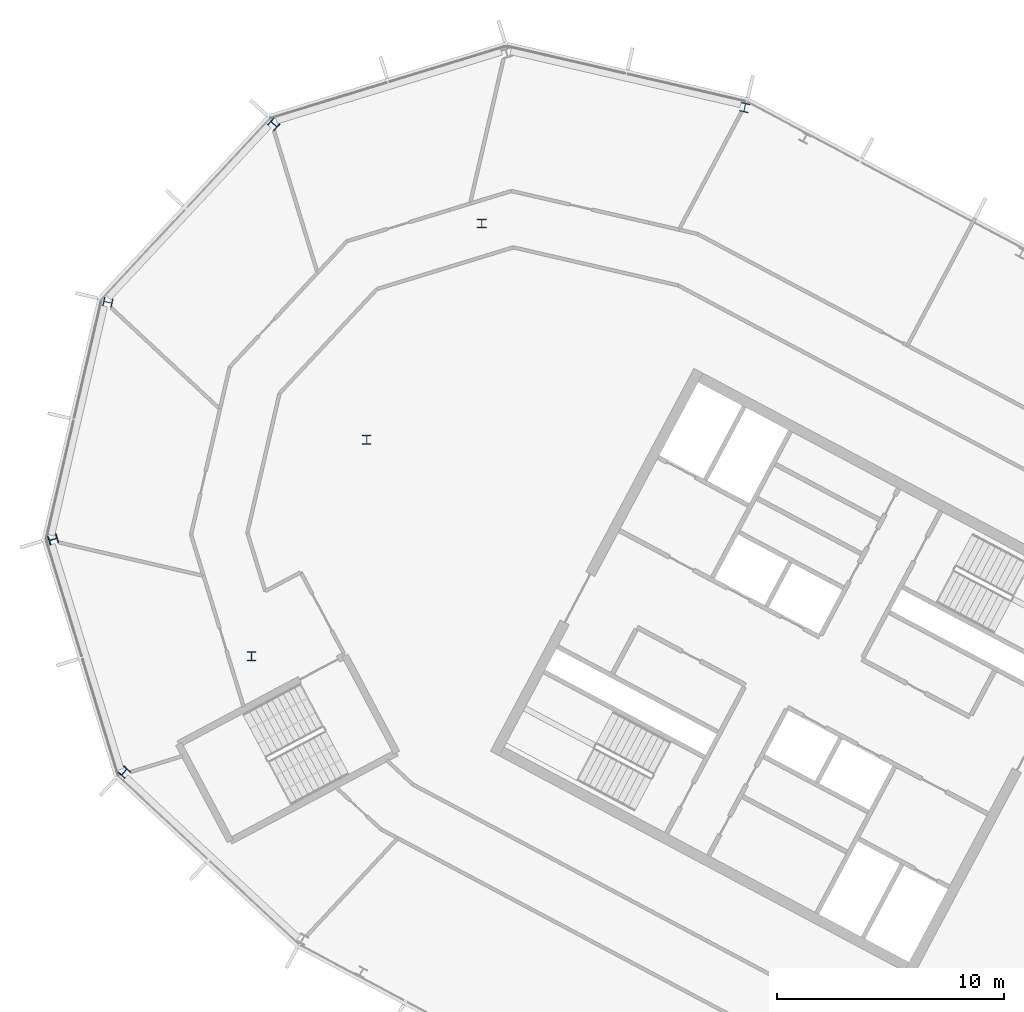
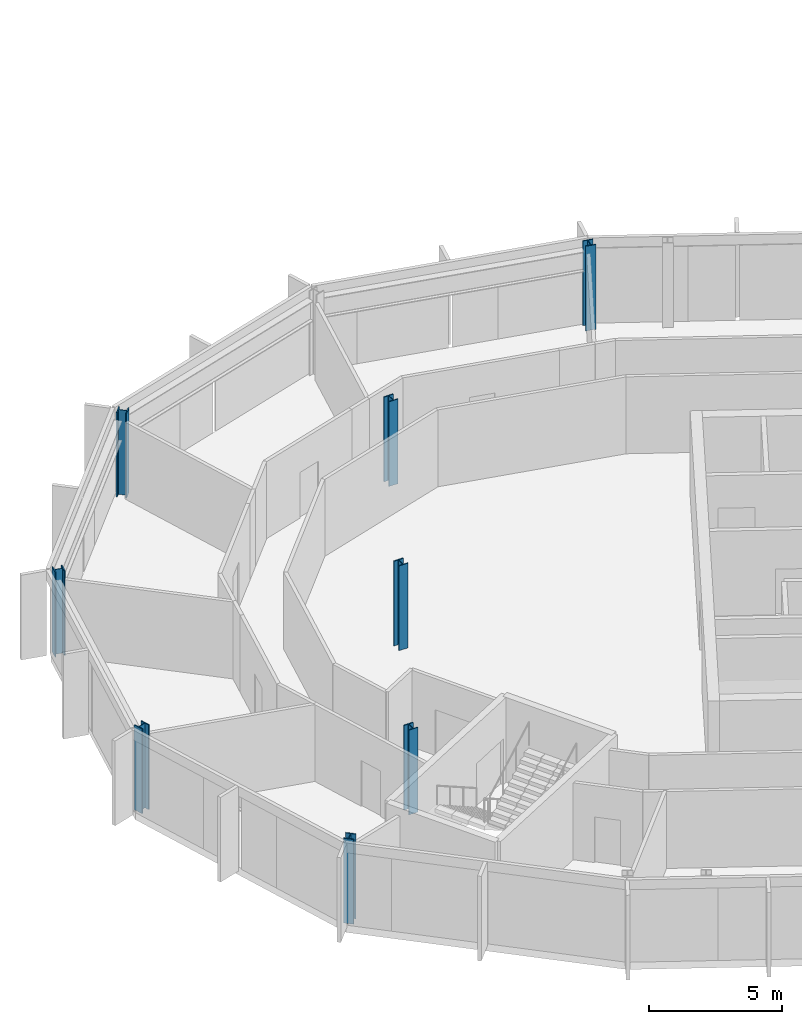
# One storey, part 3 of 26: 8 columns.
"""IFC4 building model written with IfcOpenShell, lengths in metres."""

from ifc_helpers import new_model, si_unit, direction, frame, origin, origin_2d, place, context, subcontext, project, spatial, i_section, extrude, material, material_profile, profile_set, type_object, element, save


model = new_model("IFC4")

# Units and contexts
model_context = context("Model", 3, precision=1e-05, world=origin(), true_north=direction((0.0, 1.0)))
body_context = subcontext(model_context, "Body", "Model", "MODEL_VIEW")
ifc_project = project(units=[si_unit("LENGTHUNIT", "METRE"), si_unit("AREAUNIT", "SQUARE_METRE"), si_unit("VOLUMEUNIT", "CUBIC_METRE"), si_unit("PLANEANGLEUNIT", "RADIAN"), si_unit("MASSUNIT", "GRAM", prefix="KILO")], contexts=[model_context])

# Site, building, storey
site_placement = place(None, origin())
site = spatial("IfcSite", under=ifc_project, at=site_placement, CompositionType="ELEMENT")
building_placement = place(site_placement, origin())
building = spatial("IfcBuilding", under=site, at=building_placement, Name="Cormorant Relay Tower", CompositionType="ELEMENT")
storey_placement = place(building_placement, frame((0.0, 0.0, 293.10009765625)))
storey = spatial("IfcBuildingStorey", under=building, at=storey_placement, Name="L66", CompositionType="ELEMENT", Elevation=293.10009765625)

# Columns
ifc_material = material(Name="Steel ASTM A992 (Fy 345 MPa)", Category="steel")
ifc_material_profile = material_profile(ifc_material, i_section(OverallWidth=0.40380859375, OverallDepth=0.406494140625, WebThickness=0.027099609375, FlangeThickness=0.043701171875, FilletRadius=0.01513671875, at=origin_2d()), Name="W360x347")
ifc_profile_set = profile_set([ifc_material_profile], Name="Steel ASTM A992 (Fy 345 MPa)")
column_type = type_object("IfcColumnType", Name="Column W360x347", PredefinedType="COLUMN", material=ifc_profile_set)
for number, where, z_axis, x_axis, name in (
    (1, (-57.2958984375, 10.152099609375, 0.0), (0.0, 0.0, 1.0), (0.731353701619, -0.681998360062, 0.0), "Column L66-022"),
    (2, (-51.68994140625, 15.251953125, 0.0), (0.0, 0.0, 1.0), (1.0, 0.0, 0.0), "Column L66-026"),
    (3, (-60.429931640625, 20.403076171875, 0.0), (0.0, 0.0, 1.0), (0.292371704723, -0.956304755963, 0.0), "Column L66-028"),
    (4, (-46.6201171875, 24.7880859375, 0.0), (0.0, 0.0, 1.0), (1.0, 0.0, 0.0), "Column L66-030"),
    (5, (-58.01806640625, 30.84912109375, 0.0), (0.0, 0.0, 1.0), (-0.224951054344, -0.974370064785, 0.0), "Column L66-034"),
    (6, (-41.549072265625, 34.323974609375, 0.0), (0.0, 0.0, 1.0), (1.0, 0.0, 0.0), "Column L66-037"),
    (7, (-50.70703125, 38.68896484375, 0.0), (0.0, 0.0, 1.0), (-0.681998360062, -0.731353701619, 0.0), "Column L66-041"),
    (8, (-29.965087890625, 39.425048828125, 0.0), (0.0, 0.0, 1.0), (-0.974370064785, 0.224951054344, 0.0), "Column L66-042"),
):
    element("IfcColumn", number, at=place(storey_placement, frame(where, z_axis=z_axis, x_axis=x_axis)), inside=storey, type_object=column_type, Name=name, PredefinedType="COLUMN", context=body_context, shape_type="SweptSolid", body=[
        extrude(i_section(OverallWidth=0.40380859375, OverallDepth=0.406494140625, WebThickness=0.027099609375, FlangeThickness=0.043701171875, FilletRadius=0.01513671875, at=origin_2d()), origin(), (0.0, 0.0, 1.0), 3.89990234375),
    ])

save(model, "model.ifc")
